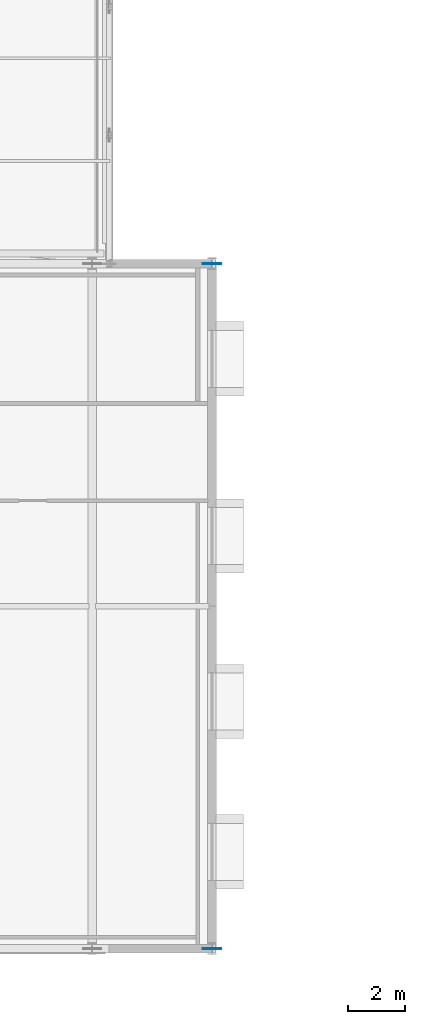
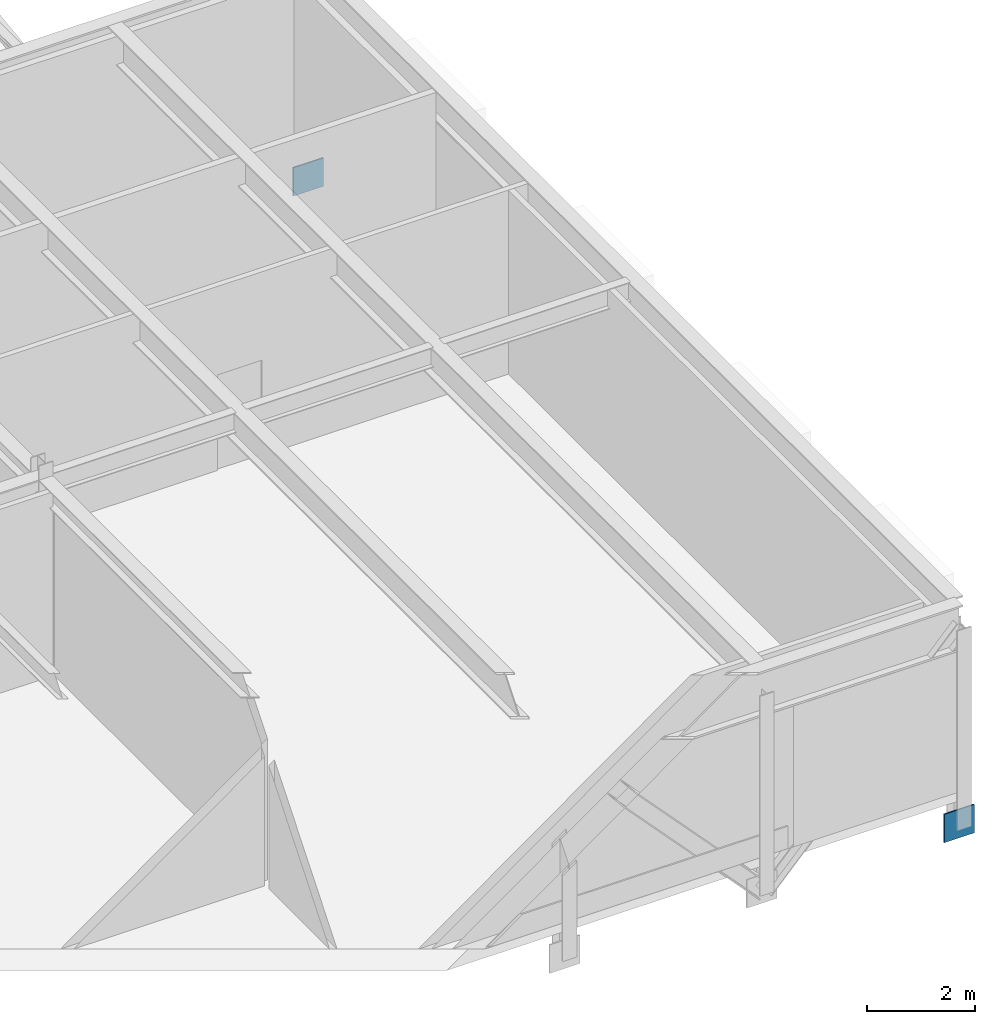
# One storey, part 128 of 142: 2 plates.
"""IFC4 building model written with IfcOpenShell, lengths in metres."""

from ifc_helpers import new_model, si_unit, direction, frame, origin, origin_2d, place, context, subcontext, project, spatial, rectangle, extrude, material, layer, layer_set, type_object, element, save


model = new_model("IFC4")

# Units and contexts
model_context = context("Model", 3, precision=1e-05, world=origin(), true_north=direction((0.0, 1.0)))
body_context = subcontext(model_context, "Body", "Model", "MODEL_VIEW")
ifc_project = project(units=[si_unit("LENGTHUNIT", "METRE"), si_unit("AREAUNIT", "SQUARE_METRE"), si_unit("VOLUMEUNIT", "CUBIC_METRE"), si_unit("PLANEANGLEUNIT", "RADIAN"), si_unit("MASSUNIT", "GRAM", prefix="KILO")], contexts=[model_context])

# Site, building, storey
site_placement = place(None, origin())
site = spatial("IfcSite", under=ifc_project, at=site_placement, CompositionType="ELEMENT")
building_placement = place(site_placement, origin())
building = spatial("IfcBuilding", under=site, at=building_placement, Name="Montelvaro Courts of Justice", CompositionType="ELEMENT")
storey_placement = place(building_placement, frame((0.0, 0.0, 14.39990234375)))
storey = spatial("IfcBuildingStorey", under=building, at=storey_placement, Name="L03", CompositionType="ELEMENT", Elevation=14.39990234375)

# Plates
ifc_material = material(Name="Steel S355", Category="steel")
ifc_layer = layer(ifc_material, 0.028076171875)
ifc_layer_set = layer_set([ifc_layer], Name="Steel S355")
plate_type = type_object("IfcPlateType", Name="GussetPlate_28", PredefinedType="USERDEFINED", material=ifc_layer_set)
for number, where, z_axis, x_axis, name in (
    (1, (147.60009765625, 0.0, -1.14404296875), (0.0, 0.0, 1.0), (1.0, 0.0, 0.0), "Pratt Truss Gusset Plate GP-02 CTR-BAR2-S-L03-3B"),
    (2, (147.60009765625, 24.0, -1.14404296875), (0.0, 0.0, 1.0), (1.0, 0.0, 0.0), "Pratt Truss Gusset Plate GP-02 CTR-BAR2-N-L03-3B"),
):
    element("IfcPlate", number, at=place(storey_placement, frame(where, z_axis=z_axis, x_axis=x_axis)), inside=storey, type_object=plate_type, Name=name, ObjectType="GUSSET PLATE", PredefinedType="USERDEFINED", context=body_context, shape_type="SweptSolid", body=[
        extrude(rectangle(XDim=0.639892578125, YDim=0.028076171875, at=origin_2d()), origin(), (0.0, 0.0, 1.0), 0.639892578125),
    ])

save(model, "model.ifc")
